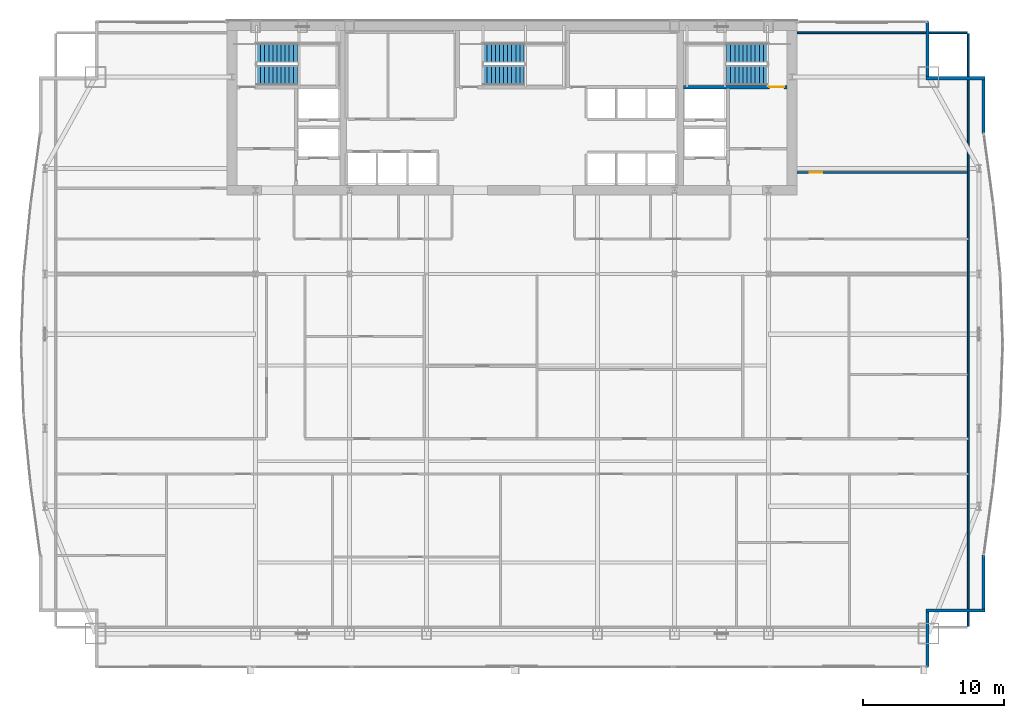
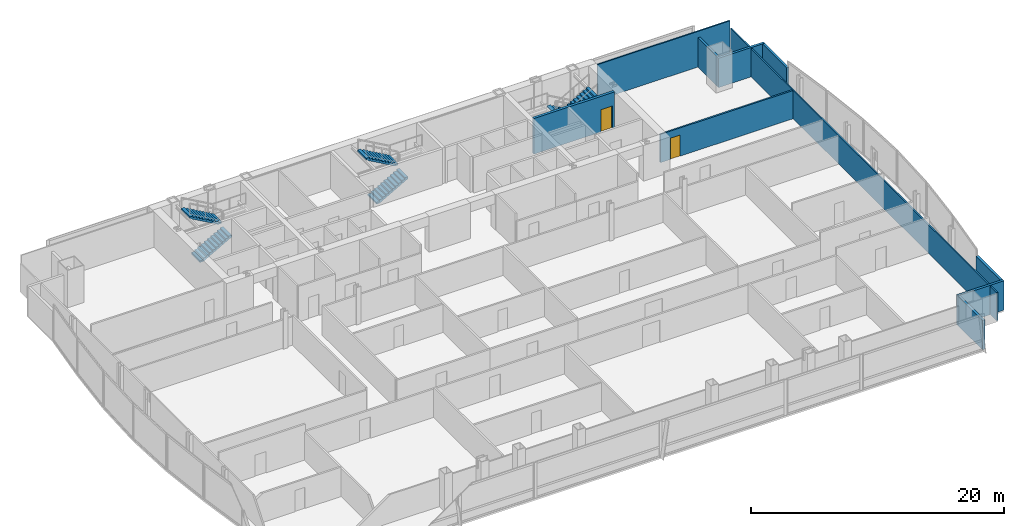
# One storey, part 29 of 32: 10 walls, 6 stair flights, 2 doors, 2 openings, 3 elements without a shape of their own.
"""IFC4 building model written with IfcOpenShell, lengths in metres."""

from ifc_helpers import new_model, si_unit, direction, frame, frame_2d, origin, place, context, subcontext, project, spatial, polyline, rectangle, outline, extrude, material, layer, layer_set, type_object, element, fill, aggregate, save


model = new_model("IFC4")

# Units and contexts
model_context = context("Model", 3, precision=1e-05, world=origin(), true_north=direction((0.0, 1.0)))
body_context = subcontext(model_context, "Body", "Model", "MODEL_VIEW")
ifc_project = project(units=[si_unit("LENGTHUNIT", "METRE"), si_unit("AREAUNIT", "SQUARE_METRE"), si_unit("VOLUMEUNIT", "CUBIC_METRE"), si_unit("PLANEANGLEUNIT", "RADIAN"), si_unit("MASSUNIT", "GRAM", prefix="KILO")], contexts=[model_context])

# Site, building, storey
site_placement = place(None, origin())
site = spatial("IfcSite", under=ifc_project, at=site_placement, CompositionType="ELEMENT")
building_placement = place(site_placement, origin())
building = spatial("IfcBuilding", under=site, at=building_placement, Name="Khoronbel Lancet Exchange", CompositionType="ELEMENT")
storey_placement = place(building_placement, frame((0.0, 0.0, 125.39990234375)))
storey = spatial("IfcBuildingStorey", under=building, at=storey_placement, Name="L30", CompositionType="ELEMENT", Elevation=125.39990234375)

# Walls
ifc_material_1 = material(Name="Precast concrete C40/50", Category="concrete")
ifc_layer_1 = layer(ifc_material_1, 0.25, Name="Precast concrete C40/50")
ifc_layer_set_1 = layer_set([ifc_layer_1], Name="Precast concrete C40/50")
wall_type_1 = type_object("IfcWallType", Name="WL-EXT250", PredefinedType="SOLIDWALL", material=ifc_layer_set_1)
wall_1_placement = place(storey_placement, frame((65.9599609375, 53.6298828125, 0.0), z_axis=(0.0, 0.0, 1.0), x_axis=(0.0, -1.0, 0.0)))
element("IfcWall", 1, at=wall_1_placement, inside=storey, type_object=wall_type_1, Name="Level L30 notched-corner limestone pier 14", PredefinedType="SOLIDWALL", context=body_context, shape_type="SweptSolid", body=[
    extrude(rectangle(XDim=3.909912109375, YDim=0.219970703125, at=frame_2d((1.955078125, 0.0))), origin(), (0.0, 0.0, 1.0), 2.830078125),
])
wall_2_placement = place(storey_placement, frame((65.85009765625, 49.610107421875, 0.0), z_axis=(0.0, 0.0, 1.0), x_axis=(1.0, 0.0, 0.0)))
element("IfcWall", 2, at=wall_2_placement, inside=storey, type_object=wall_type_1, Name="Level L30 notched-corner limestone pier 15", PredefinedType="SOLIDWALL", context=body_context, shape_type="SweptSolid", body=[
    extrude(rectangle(XDim=4.219970703125, YDim=0.219970703125, at=frame_2d((2.10986328125, 0.0))), origin(), (0.0, 0.0, 1.0), 2.830078125),
])
for number, where, z_axis, x_axis, name in (
    (3, (69.9599609375, 49.5, 0.0), (0.0, 0.0, 1.0), (0.0, -1.0, 0.0), "Level L30 notched-corner limestone pier 16"),
    (4, (69.9599609375, 15.72607421875, 0.0), (0.0, 0.0, 1.0), (0.0, -1.0, 0.0), "Level L30 notched-corner limestone pier 23"),
):
    element("IfcWall", number, at=place(storey_placement, frame(where, z_axis=z_axis, x_axis=x_axis)), inside=storey, type_object=wall_type_1, Name=name, PredefinedType="SOLIDWALL", context=body_context, shape_type="SweptSolid", body=[
        extrude(rectangle(XDim=3.826171875, YDim=0.219970703125, at=frame_2d((1.9130859375, 0.0))), origin(), (0.0, 0.0, 1.0), 2.830078125),
    ])
wall_3_placement = place(storey_placement, frame((70.070068359375, 11.7900390625, 0.0), z_axis=(0.0, 0.0, 1.0), x_axis=(-1.0, 0.0, 0.0)))
element("IfcWall", 5, at=wall_3_placement, inside=storey, type_object=wall_type_1, Name="Level L30 notched-corner limestone pier 24", PredefinedType="SOLIDWALL", context=body_context, shape_type="SweptSolid", body=[
    extrude(rectangle(XDim=4.219970703125, YDim=0.219970703125, at=frame_2d((2.10986328125, 0.0))), origin(), (0.0, 0.0, 1.0), 2.830078125),
])
wall_4_placement = place(storey_placement, frame((65.9599609375, 11.679931640625, 0.0), z_axis=(0.0, 0.0, 1.0), x_axis=(0.0, -1.0, 0.0)))
element("IfcWall", 6, at=wall_4_placement, inside=storey, type_object=wall_type_1, Name="Level L30 notched-corner limestone pier 25", PredefinedType="SOLIDWALL", context=body_context, shape_type="SweptSolid", body=[
    extrude(rectangle(XDim=3.909912109375, YDim=0.219970703125, at=frame_2d((1.955078125, 0.0))), origin(), (0.0, 0.0, 1.0), 2.830078125),
])

# Wall, opening, door
ifc_material_2 = material(Name="Acoustic Metal-Stud & Mineral-Wool Gypsum Partition 120 mm", Category="gypsum")
ifc_layer_2 = layer(ifc_material_2, 0.1201171875, Name="Acoustic Metal-Stud & Mineral-Wool Gypsum Partition 120 mm")
ifc_layer_set_2 = layer_set([ifc_layer_2], Name="Acoustic Metal-Stud & Mineral-Wool Gypsum Partition 120 mm")
wall_type_2 = type_object("IfcWallType", Name="WL-PRT120", PredefinedType="PARTITIONING", material=ifc_layer_set_2)
wall_5_placement = place(storey_placement, frame((56.699951171875, 42.919921875, 0.0), z_axis=(0.0, 0.0, 1.0), x_axis=(1.0, 0.0, 0.0)))
wall_5 = element("IfcWall", 7, at=wall_5_placement, inside=storey, type_object=wall_type_2, Name="Level L30 interior partition PW-NE-H", PredefinedType="PARTITIONING", context=body_context, shape_type="SweptSolid", body=[
    extrude(rectangle(XDim=12.10498046875, YDim=0.14990234375, at=frame_2d((6.052490234375, 0.0))), origin(), (0.0, 0.0, 1.0), 2.72998046875),
])
opening_1_placement = place(wall_5_placement, frame((0.89990234375, 0.0, 0.0)))
opening_1 = element("IfcOpeningElement", 8, at=opening_1_placement, cuts=wall_5, Name="Opening D5", PredefinedType="OPENING", context=body_context, shape_type="SweptSolid", body=[
    extrude(rectangle(XDim=0.89990234375, YDim=2.050048828125, at=frame_2d((0.449951171875, 1.02490234375))), frame((0.0, 0.0849609375, 0.0), z_axis=(0.0, -1.0, 0.0), x_axis=(1.0, 0.0, 0.0)), (0.0, 0.0, 1.0), 0.169921875),
])
ifc_material_3 = material(Name="Acoustic Timber Pantry & Support Door", Category="wood")
door_type_1 = type_object("IfcDoorType", Name="DR-D5", OperationType="NOTDEFINED", PredefinedType="DOOR", material=ifc_material_3)
door_1_placement = place(opening_1_placement, origin())
door_1 = element("IfcDoor", 9, at=door_1_placement, inside=storey, type_object=door_type_1, Name="NE north room door L30-1", OperationType="SINGLE_SWING_LEFT", OverallHeight=2.050048828125, OverallWidth=0.89990234375, PredefinedType="DOOR", context=body_context, shape_type="SweptSolid", body=[
    extrude(rectangle(XDim=0.89990234375, YDim=2.050048828125, at=frame_2d((0.449951171875, 1.02490234375))), frame((0.0, 0.02490234375, 0.0), z_axis=(0.0, -1.0, 0.0), x_axis=(1.0, 0.0, 0.0)), (0.0, 0.0, 1.0), 0.050048828125),
])
fill(opening_1, door_1)

# Walls
wall_6_placement = place(storey_placement, frame((68.8701171875, 10.6650390625, 0.0), z_axis=(0.0, 0.0, 1.0), x_axis=(0.0, 1.0, 0.0)))
element("IfcWall", 10, at=wall_6_placement, inside=storey, type_object=wall_type_2, Name="Level L30 interior partition PW-LIN-E", PredefinedType="PARTITIONING", context=body_context, shape_type="SweptSolid", body=[
    extrude(rectangle(XDim=42.10986328125, YDim=0.1201171875, at=frame_2d((21.054931640625, 0.0))), origin(), (0.0, 0.0, 1.0), 2.72998046875),
])
wall_7_placement = place(storey_placement, frame((56.699951171875, 52.840087890625, 0.0), z_axis=(0.0, 0.0, 1.0), x_axis=(1.0, 0.0, 0.0)))
element("IfcWall", 11, at=wall_7_placement, inside=storey, type_object=wall_type_2, Name="Level L30 interior partition PW-LIN-NE", PredefinedType="PARTITIONING", context=body_context, shape_type="SweptSolid", body=[
    extrude(rectangle(XDim=12.10498046875, YDim=0.1201171875, at=frame_2d((6.052490234375, 0.0))), origin(), (0.0, 0.0, 1.0), 3.440185546875),
])

# Wall, opening, door
ifc_material_4 = material(Name="Concrete C60/75", Category="concrete")
ifc_layer_3 = layer(ifc_material_4, 0.260009765625, Name="Concrete C60/75")
ifc_layer_set_3 = layer_set([ifc_layer_3], Name="Concrete C60/75")
wall_type_3 = type_object("IfcWallType", Name="WL-SW3", PredefinedType="SHEAR", material=ifc_layer_set_3)
wall_8_placement = place(storey_placement, frame((48.6298828125, 48.97998046875, 0.0), z_axis=(0.0, 0.0, 1.0), x_axis=(1.0, 0.0, 0.0)))
wall_8 = element("IfcWall", 12, at=wall_8_placement, inside=storey, type_object=wall_type_3, Name="Level L30 east stairwell structural south wall", PredefinedType="SHEAR", context=body_context, shape_type="SweptSolid", body=[
    extrude(rectangle(XDim=7.3701171875, YDim=0.239990234375, at=frame_2d((3.68505859375, 0.0))), origin(), (0.0, 0.0, 1.0), 3.440185546875),
])
opening_2_placement = place(wall_8_placement, frame((6.10009765625, 0.0, 0.0)))
opening_2 = element("IfcOpeningElement", 13, at=opening_2_placement, cuts=wall_8, Name="Opening SD1", PredefinedType="OPENING", context=body_context, shape_type="SweptSolid", body=[
    extrude(rectangle(XDim=1.050048828125, YDim=2.14990234375, at=frame_2d((0.52490234375, 1.074951171875))), frame((0.0, 0.1298828125, 0.0), z_axis=(0.0, -1.0, 0.0), x_axis=(1.0, 0.0, 0.0)), (0.0, 0.0, 1.0), 0.260009765625),
])
ifc_material_5 = material(Name="Fire-Rated Steel Stairwell Door Assembly", Category="steel")
door_type_2 = type_object("IfcDoorType", Name="DR-SD1", OperationType="NOTDEFINED", PredefinedType="DOOR", material=ifc_material_5)
door_2_placement = place(opening_2_placement, origin())
door_2 = element("IfcDoor", 14, at=door_2_placement, inside=storey, type_object=door_type_2, Name="Protected exit stair ST2 door L30", OperationType="SINGLE_SWING_RIGHT", OverallHeight=2.14990234375, OverallWidth=1.050048828125, PredefinedType="DOOR", context=body_context, shape_type="SweptSolid", body=[
    extrude(rectangle(XDim=1.050048828125, YDim=2.14990234375, at=frame_2d((0.52490234375, 1.074951171875))), frame((0.0, 0.02490234375, 0.0), z_axis=(0.0, -1.0, 0.0), x_axis=(1.0, 0.0, 0.0)), (0.0, 0.0, 1.0), 0.050048828125),
])
fill(opening_2, door_2)

# Stair, stair flights
ifc_material_6 = material(Name="Concrete C40/50", Category="concrete")
stair_type = type_object("IfcStairType", Name="STR-CORE150", PredefinedType="HALF_TURN_STAIR", material=ifc_material_6)
stair_1_placement = place(storey_placement, origin())
stair_1 = element("IfcStair", 15, at=stair_1_placement, inside=storey, type_object=stair_type, Name="L30 Protected Exit Stair ST1", PredefinedType="HALF_TURN_STAIR")
stair_flight_type = type_object("IfcStairFlightType", Name="STF-150", PredefinedType="STRAIGHT", material=ifc_material_6)
stair_flight_1_placement = place(storey_placement, frame((18.300048828125, 49.81005859375, 0.0), z_axis=(0.0, 0.0, 1.0), x_axis=(1.0, 0.0, 0.0)))
stair_flight_1 = element("IfcStairFlight", 16, at=stair_flight_1_placement, type_object=stair_flight_type, Name="ST1 flight 1", NumberOfRisers=11, NumberOfTreads=10, PredefinedType="STRAIGHT", RiserHeight=0.163636364, TreadLength=0.29, context=body_context, shape_type="SweptSolid", body=[
    extrude(outline(polyline([(0.0, 0.0), (0.0, 0.16357421875), (0.2900390625, 0.16357421875), (0.2900390625, 0.327392578125), (0.580078125, 0.327392578125), (0.580078125, 0.490966796875), (0.8701171875, 0.490966796875), (0.8701171875, 0.654541015625), (1.159912109375, 0.654541015625), (1.159912109375, 0.818115234375), (1.449951171875, 0.818115234375), (1.449951171875, 0.98193359375), (1.739990234375, 0.98193359375), (1.739990234375, 1.1455078125), (2.030029296875, 1.1455078125), (2.030029296875, 1.30908203125), (2.320068359375, 1.30908203125), (2.320068359375, 1.47265625), (2.610107421875, 1.47265625), (2.610107421875, 1.636474609375), (2.89990234375, 1.636474609375), (2.89990234375, 1.800048828125), (2.89990234375, 1.46435546875), (0.304931640625, 0.0), (0.0, 0.0)])), frame((0.0, 0.68994140625, 0.0), z_axis=(0.0, -1.0, 0.0), x_axis=(1.0, 0.0, 0.0)), (0.0, 0.0, 1.0), 1.3798828125),
])
stair_flight_2_placement = place(storey_placement, frame((21.199951171875, 51.409912109375, 1.800048828125), z_axis=(0.0, 0.0, 1.0), x_axis=(-1.0, 0.0, 0.0)))
stair_flight_2 = element("IfcStairFlight", 17, at=stair_flight_2_placement, type_object=stair_flight_type, Name="ST1 flight 2", NumberOfRisers=11, NumberOfTreads=10, PredefinedType="STRAIGHT", RiserHeight=0.163636364, TreadLength=0.29, context=body_context, shape_type="SweptSolid", body=[
    extrude(outline(polyline([(0.0, 0.0), (0.0, 0.16357421875), (0.2900390625, 0.16357421875), (0.2900390625, 0.327392578125), (0.580078125, 0.327392578125), (0.580078125, 0.490966796875), (0.8701171875, 0.490966796875), (0.8701171875, 0.654541015625), (1.159912109375, 0.654541015625), (1.159912109375, 0.818115234375), (1.449951171875, 0.818115234375), (1.449951171875, 0.98193359375), (1.739990234375, 0.98193359375), (1.739990234375, 1.1455078125), (2.030029296875, 1.1455078125), (2.030029296875, 1.30908203125), (2.320068359375, 1.30908203125), (2.320068359375, 1.47265625), (2.610107421875, 1.47265625), (2.610107421875, 1.636474609375), (2.89990234375, 1.636474609375), (2.89990234375, 1.800048828125), (2.89990234375, 1.46435546875), (0.304931640625, 0.0), (0.0, 0.0)])), frame((0.0, 0.68994140625, 0.0), z_axis=(0.0, -1.0, 0.0), x_axis=(1.0, 0.0, 0.0)), (0.0, 0.0, 1.0), 1.3798828125),
])
aggregate(stair_1, [stair_flight_1, stair_flight_2])

stair_2_placement = place(storey_placement, origin())
stair_2 = element("IfcStair", 18, at=stair_2_placement, inside=storey, type_object=stair_type, Name="L30 Protected Exit Stair ST2", PredefinedType="HALF_TURN_STAIR")
stair_flight_3_placement = place(storey_placement, frame((54.60009765625, 51.409912109375, 0.0), z_axis=(0.0, 0.0, 1.0), x_axis=(-1.0, 0.0, 0.0)))
stair_flight_3 = element("IfcStairFlight", 19, at=stair_flight_3_placement, type_object=stair_flight_type, Name="ST2 flight 1", NumberOfRisers=11, NumberOfTreads=10, PredefinedType="STRAIGHT", RiserHeight=0.163636364, TreadLength=0.29, context=body_context, shape_type="SweptSolid", body=[
    extrude(outline(polyline([(0.0, 0.0), (0.0, 0.16357421875), (0.2900390625, 0.16357421875), (0.2900390625, 0.327392578125), (0.580078125, 0.327392578125), (0.580078125, 0.490966796875), (0.8701171875, 0.490966796875), (0.8701171875, 0.654541015625), (1.159912109375, 0.654541015625), (1.159912109375, 0.818115234375), (1.449951171875, 0.818115234375), (1.449951171875, 0.98193359375), (1.739990234375, 0.98193359375), (1.739990234375, 1.1455078125), (2.030029296875, 1.1455078125), (2.030029296875, 1.30908203125), (2.320068359375, 1.30908203125), (2.320068359375, 1.47265625), (2.610107421875, 1.47265625), (2.610107421875, 1.636474609375), (2.89990234375, 1.636474609375), (2.89990234375, 1.800048828125), (2.89990234375, 1.46435546875), (0.304931640625, 0.0), (0.0, 0.0)])), frame((0.0, 0.68994140625, 0.0), z_axis=(0.0, -1.0, 0.0), x_axis=(1.0, 0.0, 0.0)), (0.0, 0.0, 1.0), 1.3798828125),
])
stair_flight_4_placement = place(storey_placement, frame((51.699951171875, 49.81005859375, 1.800048828125), z_axis=(0.0, 0.0, 1.0), x_axis=(1.0, 0.0, 0.0)))
stair_flight_4 = element("IfcStairFlight", 20, at=stair_flight_4_placement, type_object=stair_flight_type, Name="ST2 flight 2", NumberOfRisers=11, NumberOfTreads=10, PredefinedType="STRAIGHT", RiserHeight=0.163636364, TreadLength=0.29, context=body_context, shape_type="SweptSolid", body=[
    extrude(outline(polyline([(0.0, 0.0), (0.0, 0.16357421875), (0.2900390625, 0.16357421875), (0.2900390625, 0.327392578125), (0.580078125, 0.327392578125), (0.580078125, 0.490966796875), (0.8701171875, 0.490966796875), (0.8701171875, 0.654541015625), (1.159912109375, 0.654541015625), (1.159912109375, 0.818115234375), (1.449951171875, 0.818115234375), (1.449951171875, 0.98193359375), (1.739990234375, 0.98193359375), (1.739990234375, 1.1455078125), (2.030029296875, 1.1455078125), (2.030029296875, 1.30908203125), (2.320068359375, 1.30908203125), (2.320068359375, 1.47265625), (2.610107421875, 1.47265625), (2.610107421875, 1.636474609375), (2.89990234375, 1.636474609375), (2.89990234375, 1.800048828125), (2.89990234375, 1.46435546875), (0.304931640625, 0.0), (0.0, 0.0)])), frame((0.0, 0.68994140625, 0.0), z_axis=(0.0, -1.0, 0.0), x_axis=(1.0, 0.0, 0.0)), (0.0, 0.0, 1.0), 1.3798828125),
])
aggregate(stair_2, [stair_flight_3, stair_flight_4])

stair_3_placement = place(storey_placement, origin())
stair_3 = element("IfcStair", 21, at=stair_3_placement, inside=storey, type_object=stair_type, Name="L30 Protected Exit Stair ST3", PredefinedType="HALF_TURN_STAIR")
stair_flight_5_placement = place(storey_placement, frame((34.39990234375, 49.81005859375, 0.0), z_axis=(0.0, 0.0, 1.0), x_axis=(1.0, 0.0, 0.0)))
stair_flight_5 = element("IfcStairFlight", 22, at=stair_flight_5_placement, type_object=stair_flight_type, Name="ST3 flight 1", NumberOfRisers=11, NumberOfTreads=10, PredefinedType="STRAIGHT", RiserHeight=0.163636364, TreadLength=0.29, context=body_context, shape_type="SweptSolid", body=[
    extrude(outline(polyline([(0.0, 0.0), (0.0, 0.16357421875), (0.2900390625, 0.16357421875), (0.2900390625, 0.327392578125), (0.580078125, 0.327392578125), (0.580078125, 0.490966796875), (0.8701171875, 0.490966796875), (0.8701171875, 0.654541015625), (1.159912109375, 0.654541015625), (1.159912109375, 0.818115234375), (1.449951171875, 0.818115234375), (1.449951171875, 0.98193359375), (1.739990234375, 0.98193359375), (1.739990234375, 1.1455078125), (2.030029296875, 1.1455078125), (2.030029296875, 1.30908203125), (2.320068359375, 1.30908203125), (2.320068359375, 1.47265625), (2.610107421875, 1.47265625), (2.610107421875, 1.636474609375), (2.89990234375, 1.636474609375), (2.89990234375, 1.800048828125), (2.89990234375, 1.46435546875), (0.304931640625, 0.0), (0.0, 0.0)])), frame((0.0, 0.68994140625, 0.0), z_axis=(0.0, -1.0, 0.0), x_axis=(1.0, 0.0, 0.0)), (0.0, 0.0, 1.0), 1.3798828125),
])
stair_flight_6_placement = place(storey_placement, frame((37.300048828125, 51.409912109375, 1.800048828125), z_axis=(0.0, 0.0, 1.0), x_axis=(-1.0, 0.0, 0.0)))
stair_flight_6 = element("IfcStairFlight", 23, at=stair_flight_6_placement, type_object=stair_flight_type, Name="ST3 flight 2", NumberOfRisers=11, NumberOfTreads=10, PredefinedType="STRAIGHT", RiserHeight=0.163636364, TreadLength=0.29, context=body_context, shape_type="SweptSolid", body=[
    extrude(outline(polyline([(0.0, 0.0), (0.0, 0.16357421875), (0.2900390625, 0.16357421875), (0.2900390625, 0.327392578125), (0.580078125, 0.327392578125), (0.580078125, 0.490966796875), (0.8701171875, 0.490966796875), (0.8701171875, 0.654541015625), (1.159912109375, 0.654541015625), (1.159912109375, 0.818115234375), (1.449951171875, 0.818115234375), (1.449951171875, 0.98193359375), (1.739990234375, 0.98193359375), (1.739990234375, 1.1455078125), (2.030029296875, 1.1455078125), (2.030029296875, 1.30908203125), (2.320068359375, 1.30908203125), (2.320068359375, 1.47265625), (2.610107421875, 1.47265625), (2.610107421875, 1.636474609375), (2.89990234375, 1.636474609375), (2.89990234375, 1.800048828125), (2.89990234375, 1.46435546875), (0.304931640625, 0.0), (0.0, 0.0)])), frame((0.0, 0.68994140625, 0.0), z_axis=(0.0, -1.0, 0.0), x_axis=(1.0, 0.0, 0.0)), (0.0, 0.0, 1.0), 1.3798828125),
])
aggregate(stair_3, [stair_flight_5, stair_flight_6])

save(model, "model.ifc")
